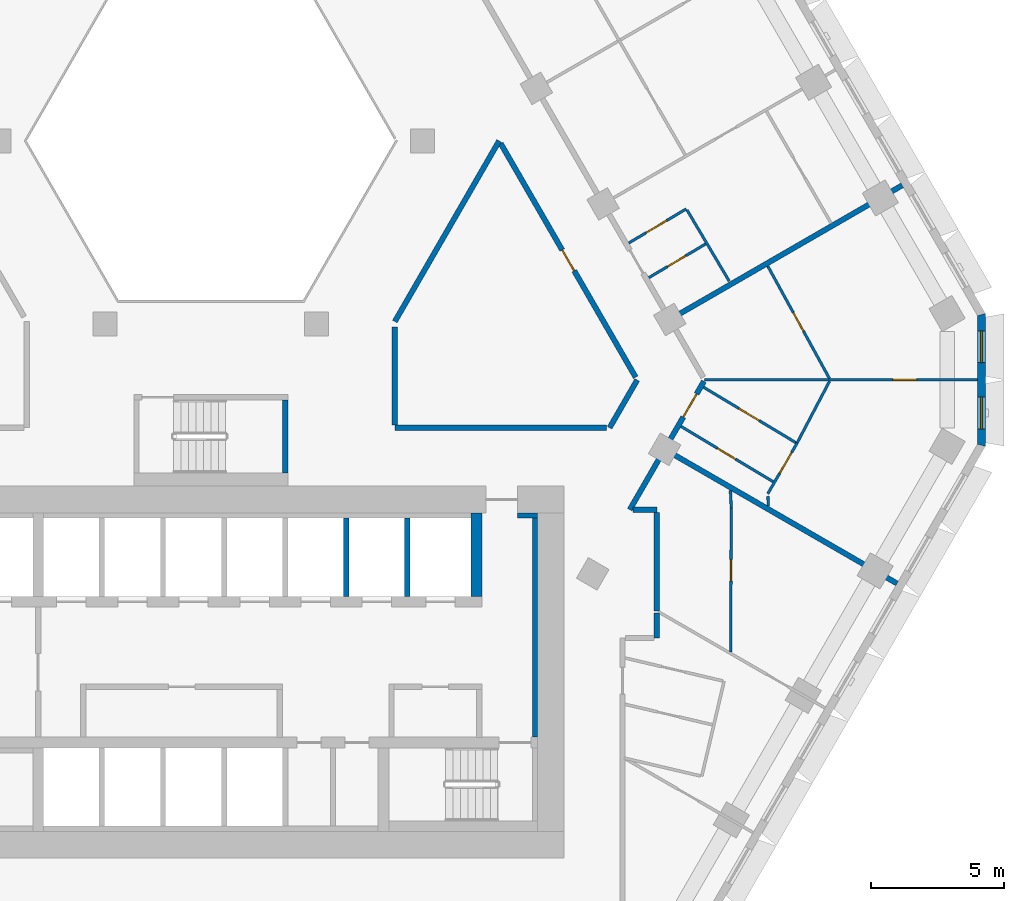
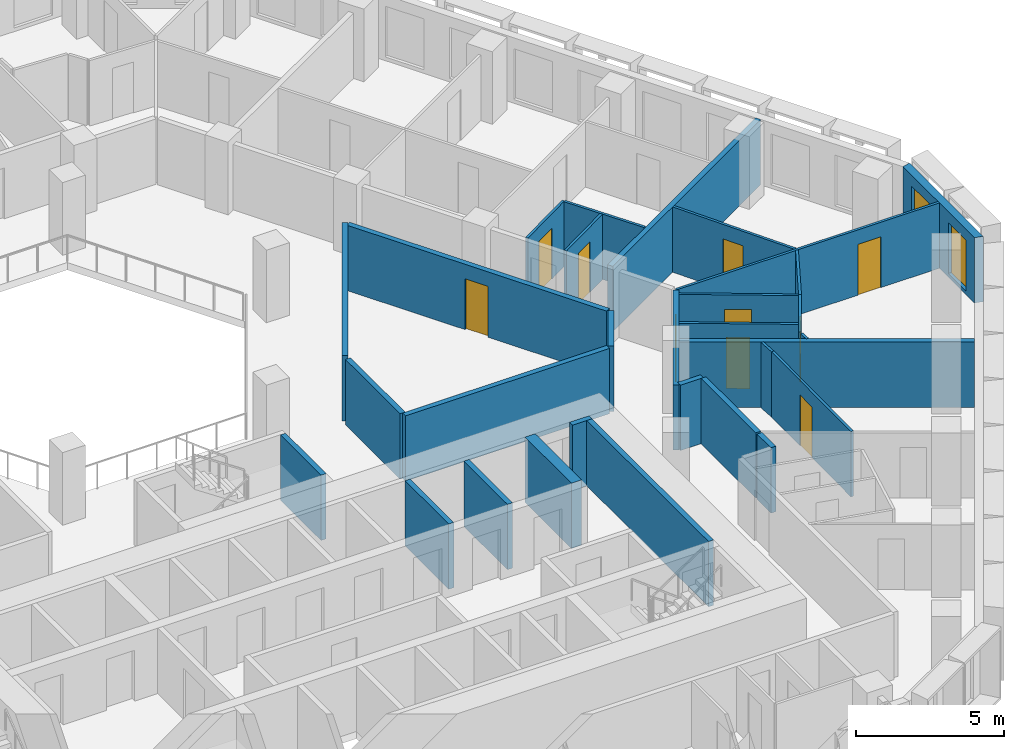
# One storey, part 7 of 18: 30 walls, 10 doors, 2 windows, 12 openings.
"""IFC4 building model written with IfcOpenShell, lengths in metres."""

from ifc_helpers import new_model, si_unit, direction, frame, frame_2d, origin, place, context, subcontext, project, spatial, polyline, rectangle, outline, extrude, material, layer, layer_set, type_object, element, fill, save


model = new_model("IFC4")

# Units and contexts
model_context = context("Model", 3, precision=1e-05, world=origin(), true_north=direction((0.0, 1.0)))
body_context = subcontext(model_context, "Body", "Model", "MODEL_VIEW")
ifc_project = project(units=[si_unit("LENGTHUNIT", "METRE"), si_unit("AREAUNIT", "SQUARE_METRE"), si_unit("VOLUMEUNIT", "CUBIC_METRE"), si_unit("PLANEANGLEUNIT", "RADIAN"), si_unit("MASSUNIT", "GRAM", prefix="KILO")], contexts=[model_context])

# Site, building, storey
site_placement = place(None, origin())
site = spatial("IfcSite", under=ifc_project, at=site_placement, CompositionType="ELEMENT")
building_placement = place(site_placement, origin())
building = spatial("IfcBuilding", under=site, at=building_placement, Name="Beryl Residences", CompositionType="ELEMENT")
storey_placement = place(building_placement, frame((0.0, 0.0, 87.0)))
storey = spatial("IfcBuildingStorey", under=building, at=storey_placement, Name="L26", CompositionType="ELEMENT", Elevation=87.0)

# Wall, openings, windows
ifc_material_1 = material(Name="Composite metal panel with mineral wool insulation")
ifc_layer_1 = layer(ifc_material_1, 0.300048828125)
ifc_layer_set_1 = layer_set([ifc_layer_1], Name="ES1 pale metal composite panel wall 300 mm")
wall_type_1 = type_object("IfcWallType", Name="ES1 pale metal composite panel wall 300 mm", PredefinedType="SOLIDWALL", material=ifc_layer_set_1)
wall_1_placement = place(storey_placement, frame((29.007080078125, -3.5, 0.0), z_axis=(0.0, 0.0, 1.0), x_axis=(0.0, 1.0, 0.0)))
wall_1 = element("IfcWall", 1, at=wall_1_placement, inside=storey, type_object=wall_type_1, Name="ES1 external wall L26 SE-NE", PredefinedType="SOLIDWALL", context=body_context, shape_type="SweptSolid", body=[
    extrude(outline(polyline([(0.0, -0.14990234375), (5.0, -0.14990234375), (4.919677734375, 0.14990234375), (0.080322265625, 0.14990234375), (0.0, -0.14990234375)])), origin(), (0.0, 0.0, 1.0), 2.699951171875),
])
opening_1_placement = place(wall_1_placement, frame((0.64990234375, 0.0, 0.14990234375)))
opening_1 = element("IfcOpeningElement", 2, at=opening_1_placement, cuts=wall_1, Name="Opening W2", PredefinedType="OPENING", context=body_context, shape_type="SweptSolid", body=[
    extrude(rectangle(XDim=1.199951171875, YDim=2.10009765625, at=frame_2d((0.60009765625, 1.050048828125))), frame((0.0, 0.159912109375, 0.0), z_axis=(0.0, -1.0, 0.0), x_axis=(1.0, 0.0, 0.0)), (0.0, 0.0, 1.0), 0.320068359375),
])
opening_2_placement = place(wall_1_placement, frame((3.14990234375, 0.0, 0.14990234375)))
opening_2 = element("IfcOpeningElement", 3, at=opening_2_placement, cuts=wall_1, Name="Opening W2", PredefinedType="OPENING", context=body_context, shape_type="SweptSolid", body=[
    extrude(rectangle(XDim=1.199951171875, YDim=2.10009765625, at=frame_2d((0.60009765625, 1.050048828125))), frame((0.0, 0.159912109375, 0.0), z_axis=(0.0, -1.0, 0.0), x_axis=(1.0, 0.0, 0.0)), (0.0, 0.0, 1.0), 0.320068359375),
])
ifc_material_2 = material(Name="Aluminium and clear glass", Category="aluminium")
window_type = type_object("IfcWindowType", Name="W2 chamfer window 1200 x 2100 mm", PartitioningType="SINGLE_PANEL", PredefinedType="WINDOW", material=ifc_material_2)
window_1_placement = place(opening_1_placement, origin())
window_1 = element("IfcWindow", 4, at=window_1_placement, inside=storey, type_object=window_type, Name="W2 window L26 SE-NE 1", OverallHeight=2.10009765625, OverallWidth=1.199951171875, PartitioningType="SINGLE_PANEL", PredefinedType="WINDOW", context=body_context, shape_type="SweptSolid", body=[
    extrude(rectangle(XDim=1.199951171875, YDim=2.10009765625, at=frame_2d((0.60009765625, 1.050048828125))), frame((0.0, 0.030029296875, 0.0), z_axis=(0.0, -1.0, 0.0), x_axis=(1.0, 0.0, 0.0)), (0.0, 0.0, 1.0), 0.06005859375),
])
fill(opening_1, window_1)
window_2_placement = place(opening_2_placement, origin())
window_2 = element("IfcWindow", 5, at=window_2_placement, inside=storey, type_object=window_type, Name="W2 window L26 SE-NE 2", OverallHeight=2.10009765625, OverallWidth=1.199951171875, PartitioningType="SINGLE_PANEL", PredefinedType="WINDOW", context=body_context, shape_type="SweptSolid", body=[
    extrude(rectangle(XDim=1.199951171875, YDim=2.10009765625, at=frame_2d((0.60009765625, 1.050048828125))), frame((0.0, 0.030029296875, 0.0), z_axis=(0.0, -1.0, 0.0), x_axis=(1.0, 0.0, 0.0)), (0.0, 0.0, 1.0), 0.06005859375),
])
fill(opening_2, window_2)

# Wall
ifc_material_3 = material(Name="Gypsum board partition on steel studs", Category="steel")
ifc_layer_2 = layer(ifc_material_3, 0.10009765625)
ifc_layer_set_2 = layer_set([ifc_layer_2], Name="PT1 partition 100 mm gypsum board on steel studs")
wall_type_2 = type_object("IfcWallType", Name="PT1 partition 100 mm gypsum board on steel studs", PredefinedType="PARTITIONING", material=ifc_layer_set_2)
wall_2_placement = place(storey_placement, frame((17.926025390625, 5.39599609375, 0.0), z_axis=(0.0, 0.0, 1.0), x_axis=(0.510025922017, -0.860159031151, 0.0)))
element("IfcWall", 6, at=wall_2_placement, inside=storey, type_object=wall_type_2, Name="Wall PT1 L26 004", PredefinedType="PARTITIONING", context=body_context, shape_type="SweptSolid", body=[
    extrude(rectangle(XDim=3.11328125, YDim=0.10009765625, at=frame_2d((1.556640625, 0.0))), origin(), (0.0, 0.0, 1.0), 2.699951171875),
])

# Wall, opening, door
wall_3_placement = place(storey_placement, frame((20.964111328125, 3.287109375, 0.0), z_axis=(0.0, 0.0, 1.0), x_axis=(0.4810005962, -0.876720266936, 0.0)))
wall_3 = element("IfcWall", 7, at=wall_3_placement, inside=storey, type_object=wall_type_2, Name="Wall PT1 L26 008", PredefinedType="PARTITIONING", context=body_context, shape_type="SweptSolid", body=[
    extrude(rectangle(XDim=4.82958984375, YDim=0.10009765625, at=frame_2d((2.414794921875, 0.0))), origin(), (0.0, 0.0, 1.0), 2.699951171875),
])
opening_3_placement = place(wall_3_placement, frame((1.9951171875, 0.0, 0.0)))
opening_3 = element("IfcOpeningElement", 8, at=opening_3_placement, cuts=wall_3, Name="Opening D0649", PredefinedType="OPENING", context=body_context, shape_type="SweptSolid", body=[
    extrude(rectangle(XDim=0.800048828125, YDim=2.10009765625, at=frame_2d((0.39990234375, 1.050048828125))), frame((0.0, 0.06005859375, 0.0), z_axis=(0.0, -1.0, 0.0), x_axis=(1.0, 0.0, 0.0)), (0.0, 0.0, 1.0), 0.1201171875),
])
ifc_material_4 = material(Name="Timber door leaf", Category="wood")
door_type_1 = type_object("IfcDoorType", Name="D3 bathroom door 800 x 2100 mm", OperationType="SINGLE_SWING_LEFT", PredefinedType="DOOR", material=ifc_material_4)
door_1_placement = place(opening_3_placement, origin())
door_1 = element("IfcDoor", 9, at=door_1_placement, inside=storey, type_object=door_type_1, Name="Door D0649 L26 001", OperationType="SINGLE_SWING_LEFT", OverallHeight=2.10009765625, OverallWidth=0.800048828125, PredefinedType="DOOR", context=body_context, shape_type="SweptSolid", body=[
    extrude(rectangle(XDim=0.800048828125, YDim=2.10009765625, at=frame_2d((0.39990234375, 1.050048828125))), frame((0.0, 0.02490234375, 0.0), z_axis=(0.0, -1.0, 0.0), x_axis=(1.0, 0.0, 0.0)), (0.0, 0.0, 1.0), 0.050048828125),
])
fill(opening_3, door_1)

# Walls
wall_4_placement = place(storey_placement, frame((19.55810546875, -5.156005859375, 0.0), z_axis=(0.0, 0.0, 1.0), x_axis=(0.04980880462, -0.998758771167, 0.0)))
element("IfcWall", 10, at=wall_4_placement, inside=storey, type_object=wall_type_2, Name="Wall PT1 L26 012", PredefinedType="PARTITIONING", context=body_context, shape_type="SweptSolid", body=[
    extrude(rectangle(XDim=0.66162109375, YDim=0.10009765625, at=frame_2d((0.330810546875, 0.0))), origin(), (0.0, 0.0, 1.0), 2.699951171875),
])
wall_5_placement = place(storey_placement, frame((20.969970703125, -5.3779296875, 0.0), z_axis=(0.0, 0.0, 1.0), x_axis=(0.043266532348, -0.999063565134, 0.0)))
element("IfcWall", 11, at=wall_5_placement, inside=storey, type_object=wall_type_2, Name="Wall PT1 L26 013", PredefinedType="PARTITIONING", context=body_context, shape_type="SweptSolid", body=[
    extrude(rectangle(XDim=0.372314453125, YDim=0.10009765625, at=frame_2d((0.18603515625, 0.0))), origin(), (0.0, 0.0, 1.0), 2.699951171875),
])

# Wall, opening, door
wall_6_placement = place(storey_placement, frame((17.697021484375, -2.748046875, 0.0), z_axis=(0.0, 0.0, 1.0), x_axis=(0.857359945576, -0.514717324093, 0.0)))
wall_6 = element("IfcWall", 12, at=wall_6_placement, inside=storey, type_object=wall_type_2, Name="Wall PT1 L26 030", PredefinedType="PARTITIONING", context=body_context, shape_type="SweptSolid", body=[
    extrude(rectangle(XDim=4.05078125, YDim=0.10009765625, at=frame_2d((2.025390625, 0.0))), origin(), (0.0, 0.0, 1.0), 2.699951171875),
])
opening_4_placement = place(wall_6_placement, frame((1.60009765625, 0.0, 0.0)))
opening_4 = element("IfcOpeningElement", 13, at=opening_4_placement, cuts=wall_6, Name="Opening D0645", PredefinedType="OPENING", context=body_context, shape_type="SweptSolid", body=[
    extrude(rectangle(XDim=0.800048828125, YDim=2.10009765625, at=frame_2d((0.39990234375, 1.050048828125))), frame((0.0, 0.06005859375, 0.0), z_axis=(0.0, -1.0, 0.0), x_axis=(1.0, 0.0, 0.0)), (0.0, 0.0, 1.0), 0.1201171875),
])
door_2_placement = place(opening_4_placement, origin())
door_2 = element("IfcDoor", 14, at=door_2_placement, inside=storey, type_object=door_type_1, Name="Door D0645 L26 001", OperationType="SINGLE_SWING_LEFT", OverallHeight=2.10009765625, OverallWidth=0.800048828125, PredefinedType="DOOR", context=body_context, shape_type="SweptSolid", body=[
    extrude(rectangle(XDim=0.800048828125, YDim=2.10009765625, at=frame_2d((0.39990234375, 1.050048828125))), frame((0.0, 0.02490234375, 0.0), z_axis=(0.0, -1.0, 0.0), x_axis=(1.0, 0.0, 0.0)), (0.0, 0.0, 1.0), 0.050048828125),
])
fill(opening_4, door_2)

wall_7_placement = place(storey_placement, frame((18.547119140625, -1.27490234375, 0.0), z_axis=(0.0, 0.0, 1.0), x_axis=(0.85733334763, -0.514761625456, 0.0)))
wall_7 = element("IfcWall", 15, at=wall_7_placement, inside=storey, type_object=wall_type_2, Name="Wall PT1 L26 031", PredefinedType="PARTITIONING", context=body_context, shape_type="SweptSolid", body=[
    extrude(rectangle(XDim=4.05078125, YDim=0.10009765625, at=frame_2d((2.025390625, 0.0))), origin(), (0.0, 0.0, 1.0), 2.699951171875),
])
opening_5_placement = place(wall_7_placement, frame((1.550048828125, 0.0, 0.0)))
opening_5 = element("IfcOpeningElement", 16, at=opening_5_placement, cuts=wall_7, Name="Opening D0646", PredefinedType="OPENING", context=body_context, shape_type="SweptSolid", body=[
    extrude(rectangle(XDim=0.89990234375, YDim=2.10009765625, at=frame_2d((0.449951171875, 1.050048828125))), frame((0.0, 0.06005859375, 0.0), z_axis=(0.0, -1.0, 0.0), x_axis=(1.0, 0.0, 0.0)), (0.0, 0.0, 1.0), 0.1201171875),
])
ifc_material_5 = material(Name="Timber door leaf", Category="wood")
door_type_2 = type_object("IfcDoorType", Name="D2 room door 900 x 2100 mm", OperationType="SINGLE_SWING_LEFT", PredefinedType="DOOR", material=ifc_material_5)
door_3_placement = place(opening_5_placement, origin())
door_3 = element("IfcDoor", 17, at=door_3_placement, inside=storey, type_object=door_type_2, Name="Door D0646 L26 001", OperationType="SINGLE_SWING_RIGHT", OverallHeight=2.10009765625, OverallWidth=0.89990234375, PredefinedType="DOOR", context=body_context, shape_type="SweptSolid", body=[
    extrude(rectangle(XDim=0.89990234375, YDim=2.10009765625, at=frame_2d((0.449951171875, 1.050048828125))), frame((0.0, 0.02490234375, 0.0), z_axis=(0.0, -1.0, 0.0), x_axis=(1.0, 0.0, 0.0)), (0.0, 0.0, 1.0), 0.050048828125),
])
fill(opening_5, door_3)

wall_8_placement = place(storey_placement, frame((18.591064453125, -0.9990234375, 0.0), z_axis=(0.0, 0.0, 1.0), x_axis=(1.0, 0.0, 0.0)))
wall_8 = element("IfcWall", 18, at=wall_8_placement, inside=storey, type_object=wall_type_2, Name="Wall PT1 L26 033", PredefinedType="PARTITIONING", context=body_context, shape_type="SweptSolid", body=[
    extrude(rectangle(XDim=10.265869140625, YDim=0.10009765625, at=frame_2d((5.1328125, 0.0))), origin(), (0.0, 0.0, 1.0), 2.699951171875),
])
opening_6_placement = place(wall_8_placement, frame((7.0791015625, 0.0, 0.0)))
opening_6 = element("IfcOpeningElement", 19, at=opening_6_placement, cuts=wall_8, Name="Opening D0648", PredefinedType="OPENING", context=body_context, shape_type="SweptSolid", body=[
    extrude(rectangle(XDim=0.89990234375, YDim=2.10009765625, at=frame_2d((0.449951171875, 1.050048828125))), frame((0.0, 0.06005859375, 0.0), z_axis=(0.0, -1.0, 0.0), x_axis=(1.0, 0.0, 0.0)), (0.0, 0.0, 1.0), 0.1201171875),
])
door_4_placement = place(opening_6_placement, origin())
door_4 = element("IfcDoor", 20, at=door_4_placement, inside=storey, type_object=door_type_2, Name="Door D0648 L26 001", OperationType="SINGLE_SWING_RIGHT", OverallHeight=2.10009765625, OverallWidth=0.89990234375, PredefinedType="DOOR", context=body_context, shape_type="SweptSolid", body=[
    extrude(rectangle(XDim=0.89990234375, YDim=2.10009765625, at=frame_2d((0.449951171875, 1.050048828125))), frame((0.0, 0.02490234375, 0.0), z_axis=(0.0, -1.0, 0.0), x_axis=(1.0, 0.0, 0.0)), (0.0, 0.0, 1.0), 0.050048828125),
])
fill(opening_6, door_4)

wall_9_placement = place(storey_placement, frame((20.966064453125, -5.284912109375, 0.0), z_axis=(0.0, 0.0, 1.0), x_axis=(0.500244510215, 0.865884189716, 0.0)))
wall_9 = element("IfcWall", 21, at=wall_9_placement, inside=storey, type_object=wall_type_2, Name="Wall PT1 L26 040", PredefinedType="PARTITIONING", context=body_context, shape_type="SweptSolid", body=[
    extrude(rectangle(XDim=2.212890625, YDim=0.10009765625, at=frame_2d((1.1064453125, 0.0))), origin(), (0.0, 0.0, 1.0), 2.699951171875),
])
opening_7_placement = place(wall_9_placement, frame((0.89306640625, 0.0, 0.0)))
opening_7 = element("IfcOpeningElement", 22, at=opening_7_placement, cuts=wall_9, Name="Opening D0647", PredefinedType="OPENING", context=body_context, shape_type="SweptSolid", body=[
    extrude(rectangle(XDim=0.89990234375, YDim=2.10009765625, at=frame_2d((0.449951171875, 1.050048828125))), frame((0.0, 0.06005859375, 0.0), z_axis=(0.0, -1.0, 0.0), x_axis=(1.0, 0.0, 0.0)), (0.0, 0.0, 1.0), 0.1201171875),
])
door_5_placement = place(opening_7_placement, origin())
door_5 = element("IfcDoor", 23, at=door_5_placement, inside=storey, type_object=door_type_2, Name="Door D0647 L26 001", OperationType="SINGLE_SWING_LEFT", OverallHeight=2.10009765625, OverallWidth=0.89990234375, PredefinedType="DOOR", context=body_context, shape_type="SweptSolid", body=[
    extrude(rectangle(XDim=0.89990234375, YDim=2.10009765625, at=frame_2d((0.449951171875, 1.050048828125))), frame((0.0, 0.02490234375, 0.0), z_axis=(0.0, -1.0, 0.0), x_axis=(1.0, 0.0, 0.0)), (0.0, 0.0, 1.0), 0.050048828125),
])
fill(opening_7, door_5)

# Wall
wall_10_placement = place(storey_placement, frame((22.052978515625, -3.403076171875, 0.0), z_axis=(0.0, 0.0, 1.0), x_axis=(0.465190117005, 0.885210796952, 0.0)))
element("IfcWall", 24, at=wall_10_placement, inside=storey, type_object=wall_type_2, Name="Wall PT1 L26 047", PredefinedType="PARTITIONING", context=body_context, shape_type="SweptSolid", body=[
    extrude(rectangle(XDim=2.6591796875, YDim=0.10009765625, at=frame_2d((1.32958984375, 0.0))), origin(), (0.0, 0.0, 1.0), 2.699951171875),
])

# Wall, opening, door
wall_11_placement = place(storey_placement, frame((19.56591796875, -11.238037109375, 0.0), z_axis=(0.0, 0.0, 1.0), x_axis=(0.004638545009, 0.999989241892, 0.0)))
wall_11 = element("IfcWall", 25, at=wall_11_placement, inside=storey, type_object=wall_type_2, Name="Wall PT1 L26 054", PredefinedType="PARTITIONING", context=body_context, shape_type="SweptSolid", body=[
    extrude(rectangle(XDim=5.421142578125, YDim=0.10009765625, at=frame_2d((2.71044921875, 0.0))), origin(), (0.0, 0.0, 1.0), 2.699951171875),
])
opening_8_placement = place(wall_11_placement, frame((2.672119140625, 0.0, 0.0)))
opening_8 = element("IfcOpeningElement", 26, at=opening_8_placement, cuts=wall_11, Name="Opening D0643", PredefinedType="OPENING", context=body_context, shape_type="SweptSolid", body=[
    extrude(rectangle(XDim=0.800048828125, YDim=2.10009765625, at=frame_2d((0.39990234375, 1.050048828125))), frame((0.0, 0.06005859375, 0.0), z_axis=(0.0, -1.0, 0.0), x_axis=(1.0, 0.0, 0.0)), (0.0, 0.0, 1.0), 0.1201171875),
])
door_6_placement = place(opening_8_placement, origin())
door_6 = element("IfcDoor", 27, at=door_6_placement, inside=storey, type_object=door_type_1, Name="Door D0643 L26 001", OperationType="SINGLE_SWING_LEFT", OverallHeight=2.10009765625, OverallWidth=0.800048828125, PredefinedType="DOOR", context=body_context, shape_type="SweptSolid", body=[
    extrude(rectangle(XDim=0.800048828125, YDim=2.10009765625, at=frame_2d((0.39990234375, 1.050048828125))), frame((0.0, 0.02490234375, 0.0), z_axis=(0.0, -1.0, 0.0), x_axis=(1.0, 0.0, 0.0)), (0.0, 0.0, 1.0), 0.050048828125),
])
fill(opening_8, door_6)

wall_12_placement = place(storey_placement, frame((15.73193359375, 4.153076171875, 0.0), z_axis=(0.0, 0.0, 1.0), x_axis=(0.859987631152, 0.510314877566, 0.0)))
wall_12 = element("IfcWall", 28, at=wall_12_placement, inside=storey, type_object=wall_type_2, Name="Wall PT1 L26 076", PredefinedType="PARTITIONING", context=body_context, shape_type="SweptSolid", body=[
    extrude(rectangle(XDim=2.519775390625, YDim=0.10009765625, at=frame_2d((1.259765625, 0.0))), origin(), (0.0, 0.0, 1.0), 2.699951171875),
])
opening_9_placement = place(wall_12_placement, frame((0.760009765625, 0.0, 0.0)))
opening_9 = element("IfcOpeningElement", 29, at=opening_9_placement, cuts=wall_12, Name="Opening D0651", PredefinedType="OPENING", context=body_context, shape_type="SweptSolid", body=[
    extrude(rectangle(XDim=0.89990234375, YDim=2.10009765625, at=frame_2d((0.449951171875, 1.050048828125))), frame((0.0, 0.06005859375, 0.0), z_axis=(0.0, -1.0, 0.0), x_axis=(1.0, 0.0, 0.0)), (0.0, 0.0, 1.0), 0.1201171875),
])
door_7_placement = place(opening_9_placement, origin())
door_7 = element("IfcDoor", 30, at=door_7_placement, inside=storey, type_object=door_type_2, Name="Door D0651 L26 001", OperationType="SINGLE_SWING_LEFT", OverallHeight=2.10009765625, OverallWidth=0.89990234375, PredefinedType="DOOR", context=body_context, shape_type="SweptSolid", body=[
    extrude(rectangle(XDim=0.89990234375, YDim=2.10009765625, at=frame_2d((0.449951171875, 1.050048828125))), frame((0.0, 0.02490234375, 0.0), z_axis=(0.0, -1.0, 0.0), x_axis=(1.0, 0.0, 0.0)), (0.0, 0.0, 1.0), 0.050048828125),
])
fill(opening_9, door_7)

wall_13_placement = place(storey_placement, frame((16.485107421875, 2.847900390625, 0.0), z_axis=(0.0, 0.0, 1.0), x_axis=(0.860052465539, 0.510205602205, 0.0)))
wall_13 = element("IfcWall", 31, at=wall_13_placement, inside=storey, type_object=wall_type_2, Name="Wall PT1 L26 077", PredefinedType="PARTITIONING", context=body_context, shape_type="SweptSolid", body=[
    extrude(rectangle(XDim=2.4892578125, YDim=0.10009765625, at=frame_2d((1.24462890625, 0.0))), origin(), (0.0, 0.0, 1.0), 2.699951171875),
])
opening_10_placement = place(wall_13_placement, frame((0.819091796875, 0.0, 0.0)))
opening_10 = element("IfcOpeningElement", 32, at=opening_10_placement, cuts=wall_13, Name="Opening D0652", PredefinedType="OPENING", context=body_context, shape_type="SweptSolid", body=[
    extrude(rectangle(XDim=0.800048828125, YDim=2.10009765625, at=frame_2d((0.39990234375, 1.050048828125))), frame((0.0, 0.06005859375, 0.0), z_axis=(0.0, -1.0, 0.0), x_axis=(1.0, 0.0, 0.0)), (0.0, 0.0, 1.0), 0.1201171875),
])
door_8_placement = place(opening_10_placement, origin())
door_8 = element("IfcDoor", 33, at=door_8_placement, inside=storey, type_object=door_type_1, Name="Door D0652 L26 001", OperationType="SINGLE_SWING_RIGHT", OverallHeight=2.10009765625, OverallWidth=0.800048828125, PredefinedType="DOOR", context=body_context, shape_type="SweptSolid", body=[
    extrude(rectangle(XDim=0.800048828125, YDim=2.10009765625, at=frame_2d((0.39990234375, 1.050048828125))), frame((0.0, 0.02490234375, 0.0), z_axis=(0.0, -1.0, 0.0), x_axis=(1.0, 0.0, 0.0)), (0.0, 0.0, 1.0), 0.050048828125),
])
fill(opening_10, door_8)

# Walls
ifc_material_6 = material(Name="Concrete masonry", Category="masonry")
ifc_layer_3 = layer(ifc_material_6, 0.199951171875)
ifc_layer_set_3 = layer_set([ifc_layer_3], Name="PT13 lobby wall 200 mm")
wall_type_3 = type_object("IfcWallType", Name="PT13 lobby wall 200 mm", PredefinedType="PARTITIONING", material=ifc_layer_set_3)
wall_14_placement = place(storey_placement, frame((11.550048828125, -6.10009765625, 0.0), z_axis=(0.0, 0.0, 1.0), x_axis=(1.0, 0.0, 0.0)))
element("IfcWall", 34, at=wall_14_placement, inside=storey, type_object=wall_type_3, Name="Lobby wall 32", PredefinedType="PARTITIONING", context=body_context, shape_type="SweptSolid", body=[
    extrude(rectangle(XDim=0.75, YDim=0.199951171875, at=frame_2d((0.375, 0.0))), origin(), (0.0, 0.0, 1.0), 2.699951171875),
])
wall_15_placement = place(storey_placement, frame((12.199951171875, -14.449951171875, 0.0), z_axis=(0.0, 0.0, 1.0), x_axis=(0.0, 1.0, 0.0)))
element("IfcWall", 35, at=wall_15_placement, inside=storey, type_object=wall_type_3, Name="Lobby wall 34", PredefinedType="PARTITIONING", context=body_context, shape_type="SweptSolid", body=[
    extrude(rectangle(XDim=8.25, YDim=0.199951171875, at=frame_2d((4.125, 0.0))), origin(), (0.0, 0.0, 1.0), 2.699951171875),
])
ifc_material_7 = material(Name="Acoustic double stud gypsum board wall")
ifc_layer_4 = layer(ifc_material_7, 0.199951171875)
ifc_layer_set_4 = layer_set([ifc_layer_4], Name="PT3 party wall 200 mm acoustic double stud")
wall_type_4 = type_object("IfcWallType", Name="PT3 party wall 200 mm acoustic double stud", PredefinedType="PARTITIONING", material=ifc_layer_set_4)
wall_16_placement = place(storey_placement, frame((17.1689453125, -3.662109375, 0.0), z_axis=(0.0, 0.0, 1.0), x_axis=(0.866047370643, -0.499961950354, 0.0)))
element("IfcWall", 36, at=wall_16_placement, inside=storey, type_object=wall_type_4, Name="Wall PT3 L26 003", PredefinedType="PARTITIONING", context=body_context, shape_type="SweptSolid", body=[
    extrude(rectangle(XDim=10.000732421875, YDim=0.199951171875, at=frame_2d((5.00048828125, 0.0))), origin(), (0.0, 0.0, 1.0), 2.699951171875),
])
wall_17_placement = place(storey_placement, frame((17.364990234375, 1.324951171875, 0.0), z_axis=(0.0, 0.0, 1.0), x_axis=(0.866016855193, 0.500014806302, 0.0)))
element("IfcWall", 37, at=wall_17_placement, inside=storey, type_object=wall_type_4, Name="Wall PT3 L26 009", PredefinedType="PARTITIONING", context=body_context, shape_type="SweptSolid", body=[
    extrude(rectangle(XDim=9.999755859375, YDim=0.199951171875, at=frame_2d((5.0, 0.0))), origin(), (0.0, 0.0, 1.0), 2.699951171875),
])

# Wall, opening, door
ifc_material_8 = material(Name="Double stud gypsum board wall")
ifc_layer_5 = layer(ifc_material_8, 0.199951171875)
ifc_layer_set_5 = layer_set([ifc_layer_5], Name="PT4 corridor wall 200 mm double stud")
wall_type_5 = type_object("IfcWallType", Name="PT4 corridor wall 200 mm double stud", PredefinedType="PARTITIONING", material=ifc_layer_set_5)
wall_18_placement = place(storey_placement, frame((10.9130859375, 7.89892578125, 0.0), z_axis=(0.0, 0.0, 1.0), x_axis=(0.500028940566, -0.866008694296, 0.0)))
wall_18 = element("IfcWall", 38, at=wall_18_placement, inside=storey, type_object=wall_type_5, Name="Wall PT4 L26 005", PredefinedType="PARTITIONING", context=body_context, shape_type="SweptSolid", body=[
    extrude(rectangle(XDim=10.1591796875, YDim=0.199951171875, at=frame_2d((5.07958984375, 0.0))), origin(), (0.0, 0.0, 1.0), 2.699951171875),
])
opening_11_placement = place(wall_18_placement, frame((4.6298828125, 0.0, 0.0)))
opening_11 = element("IfcOpeningElement", 39, at=opening_11_placement, cuts=wall_18, Name="Opening D0667", PredefinedType="OPENING", context=body_context, shape_type="SweptSolid", body=[
    extrude(rectangle(XDim=0.89990234375, YDim=2.10009765625, at=frame_2d((0.449951171875, 1.050048828125))), frame((0.0, 0.10986328125, 0.0), z_axis=(0.0, -1.0, 0.0), x_axis=(1.0, 0.0, 0.0)), (0.0, 0.0, 1.0), 0.219970703125),
])
door_9_placement = place(opening_11_placement, origin())
door_9 = element("IfcDoor", 40, at=door_9_placement, inside=storey, type_object=door_type_2, Name="Door D0667 L26 001", OperationType="SINGLE_SWING_LEFT", OverallHeight=2.10009765625, OverallWidth=0.89990234375, PredefinedType="DOOR", context=body_context, shape_type="SweptSolid", body=[
    extrude(rectangle(XDim=0.89990234375, YDim=2.10009765625, at=frame_2d((0.449951171875, 1.050048828125))), frame((0.0, 0.02490234375, 0.0), z_axis=(0.0, -1.0, 0.0), x_axis=(1.0, 0.0, 0.0)), (0.0, 0.0, 1.0), 0.050048828125),
])
fill(opening_11, door_9)

# Walls
wall_19_placement = place(storey_placement, frame((6.927978515625, 1.0, 0.0), z_axis=(0.0, 0.0, 1.0), x_axis=(0.0, -1.0, 0.0)))
element("IfcWall", 41, at=wall_19_placement, inside=storey, type_object=wall_type_5, Name="Wall PT4 L26 009", PredefinedType="PARTITIONING", context=body_context, shape_type="SweptSolid", body=[
    extrude(rectangle(XDim=3.698974609375, YDim=0.199951171875, at=frame_2d((1.849609375, 0.0))), origin(), (0.0, 0.0, 1.0), 2.699951171875),
])
wall_20_placement = place(storey_placement, frame((16.791015625, -5.986083984375, 0.0), z_axis=(0.0, 0.0, 1.0), x_axis=(0.0, -1.0, 0.0)))
element("IfcWall", 42, at=wall_20_placement, inside=storey, type_object=wall_type_5, Name="Wall PT4 L26 010", PredefinedType="PARTITIONING", context=body_context, shape_type="SweptSolid", body=[
    extrude(rectangle(XDim=3.7080078125, YDim=0.199951171875, at=frame_2d((1.85400390625, 0.0))), origin(), (0.0, 0.0, 1.0), 2.699951171875),
])
wall_21_placement = place(storey_placement, frame((15.886962890625, -5.885009765625, 0.0), z_axis=(0.0, 0.0, 1.0), x_axis=(1.0, 0.0, 0.0)))
element("IfcWall", 43, at=wall_21_placement, inside=storey, type_object=wall_type_5, Name="Wall PT4 L26 012", PredefinedType="PARTITIONING", context=body_context, shape_type="SweptSolid", body=[
    extrude(rectangle(XDim=0.903076171875, YDim=0.199951171875, at=frame_2d((0.45166015625, 0.0))), origin(), (0.0, 0.0, 1.0), 2.699951171875),
])
wall_22_placement = place(storey_placement, frame((6.928955078125, -2.800048828125, 0.0), z_axis=(0.0, 0.0, 1.0), x_axis=(1.0, 0.0, 0.0)))
element("IfcWall", 44, at=wall_22_placement, inside=storey, type_object=wall_type_5, Name="Wall PT4 L26 018", PredefinedType="PARTITIONING", context=body_context, shape_type="SweptSolid", body=[
    extrude(rectangle(XDim=7.966064453125, YDim=0.199951171875, at=frame_2d((3.98291015625, 0.0))), origin(), (0.0, 0.0, 1.0), 2.699951171875),
])
wall_23_placement = place(storey_placement, frame((6.927978515625, 1.199951171875, 0.0), z_axis=(0.0, 0.0, 1.0), x_axis=(0.500055327065, 0.865993458332, 0.0)))
element("IfcWall", 45, at=wall_23_placement, inside=storey, type_object=wall_type_5, Name="Wall PT4 L26 023", PredefinedType="PARTITIONING", context=body_context, shape_type="SweptSolid", body=[
    extrude(rectangle(XDim=7.85107421875, YDim=0.199951171875, at=frame_2d((3.925537109375, 0.0))), origin(), (0.0, 0.0, 1.0), 2.699951171875),
])
wall_24_placement = place(storey_placement, frame((15.010986328125, -2.800048828125, 0.0), z_axis=(0.0, 0.0, 1.0), x_axis=(0.499929208183, 0.866066271601, 0.0)))
element("IfcWall", 46, at=wall_24_placement, inside=storey, type_object=wall_type_5, Name="Wall PT4 L26 024", PredefinedType="PARTITIONING", context=body_context, shape_type="SweptSolid", body=[
    extrude(rectangle(XDim=2.078369140625, YDim=0.199951171875, at=frame_2d((1.0390625, 0.0))), origin(), (0.0, 0.0, 1.0), 2.699951171875),
])

# Wall, opening, door
wall_25_placement = place(storey_placement, frame((15.77099609375, -5.884033203125, 0.0), z_axis=(0.0, 0.0, 1.0), x_axis=(0.499939494019, 0.866060334111, 0.0)))
wall_25 = element("IfcWall", 47, at=wall_25_placement, inside=storey, type_object=wall_type_5, Name="Wall PT4 L26 025", PredefinedType="PARTITIONING", context=body_context, shape_type="SweptSolid", body=[
    extrude(rectangle(XDim=5.582763671875, YDim=0.199951171875, at=frame_2d((2.79150390625, 0.0))), origin(), (0.0, 0.0, 1.0), 2.699951171875),
])
opening_12_placement = place(wall_25_placement, frame((4.030029296875, 0.0, 0.0)))
opening_12 = element("IfcOpeningElement", 48, at=opening_12_placement, cuts=wall_25, Name="Opening D0644", PredefinedType="OPENING", context=body_context, shape_type="SweptSolid", body=[
    extrude(rectangle(XDim=1.0, YDim=2.10009765625, at=frame_2d((0.5, 1.050048828125))), frame((0.0, 0.10986328125, 0.0), z_axis=(0.0, -1.0, 0.0), x_axis=(1.0, 0.0, 0.0)), (0.0, 0.0, 1.0), 0.219970703125),
])
ifc_material_9 = material(Name="Timber door leaf", Category="wood")
door_type_3 = type_object("IfcDoorType", Name="D1 flat entrance door 1000 x 2100 mm", OperationType="SINGLE_SWING_LEFT", PredefinedType="DOOR", material=ifc_material_9)
door_10_placement = place(opening_12_placement, origin())
door_10 = element("IfcDoor", 49, at=door_10_placement, inside=storey, type_object=door_type_3, Name="Door D0644 L26 001", OperationType="SINGLE_SWING_RIGHT", OverallHeight=2.10009765625, OverallWidth=1.0, PredefinedType="DOOR", context=body_context, shape_type="SweptSolid", body=[
    extrude(rectangle(XDim=1.0, YDim=2.10009765625, at=frame_2d((0.5, 1.050048828125))), frame((0.0, 0.02490234375, 0.0), z_axis=(0.0, -1.0, 0.0), x_axis=(1.0, 0.0, 0.0)), (0.0, 0.0, 1.0), 0.050048828125),
])
fill(opening_12, door_10)

# Walls
wall_26_placement = place(storey_placement, frame((16.791015625, -10.714111328125, 0.0), z_axis=(0.0, 0.0, 1.0), x_axis=(0.0, 1.0, 0.0)))
element("IfcWall", 50, at=wall_26_placement, inside=storey, type_object=wall_type_5, Name="Wall PT4 L26 030", PredefinedType="PARTITIONING", context=body_context, shape_type="SweptSolid", body=[
    extrude(rectangle(XDim=0.942138671875, YDim=0.199951171875, at=frame_2d((0.47119140625, 0.0))), origin(), (0.0, 0.0, 1.0), 2.699951171875),
])
ifc_material_10 = material(Name="Concrete C40/50", Category="concrete")
ifc_layer_6 = layer(ifc_material_10, 0.199951171875)
ifc_layer_set_6 = layer_set([ifc_layer_6], Name="PT5 stair enclosure wall 200 mm reinforced concrete C40/50")
wall_type_6 = type_object("IfcWallType", Name="PT5 stair enclosure wall 200 mm reinforced concrete C40/50", PredefinedType="SOLIDWALL", material=ifc_layer_set_6)
wall_27_placement = place(storey_placement, frame((2.800048828125, -4.5, 0.0), z_axis=(0.0, 0.0, 1.0), x_axis=(0.0, 1.0, 0.0)))
element("IfcWall", 51, at=wall_27_placement, inside=storey, type_object=wall_type_6, Name="Wall PT5 L26 003", PredefinedType="SOLIDWALL", context=body_context, shape_type="SweptSolid", body=[
    extrude(rectangle(XDim=2.75, YDim=0.199951171875, at=frame_2d((1.375, 0.0))), origin(), (0.0, 0.0, 1.0), 2.699951171875),
])
ifc_material_11 = material(Name="Concrete C40/50", Category="concrete")
ifc_layer_7 = layer(ifc_material_11, 0.199951171875)
ifc_layer_set_7 = layer_set([ifc_layer_7], Name="PT6 lift shaft wall 200 mm reinforced concrete C40/50")
wall_type_7 = type_object("IfcWallType", Name="PT6 lift shaft wall 200 mm reinforced concrete C40/50", PredefinedType="SOLIDWALL", material=ifc_layer_set_7)
for number, where, z_axis, x_axis, name in (
    (52, (5.10009765625, -9.14990234375, 0.0), (0.0, 0.0, 1.0), (0.0, 1.0, 0.0), "Lift shaft wall 26"),
    (53, (7.39990234375, -9.14990234375, 0.0), (0.0, 0.0, 1.0), (0.0, 1.0, 0.0), "Lift shaft wall 30"),
):
    element("IfcWall", number, at=place(storey_placement, frame(where, z_axis=z_axis, x_axis=x_axis)), inside=storey, type_object=wall_type_7, Name=name, PredefinedType="SOLIDWALL", context=body_context, shape_type="SweptSolid", body=[
        extrude(rectangle(XDim=2.949951171875, YDim=0.199951171875, at=frame_2d((1.47509765625, 0.0))), origin(), (0.0, 0.0, 1.0), 2.699951171875),
    ])
ifc_material_12 = material(Name="Concrete C70/85", Category="concrete")
ifc_layer_8 = layer(ifc_material_12, 0.39990234375)
ifc_layer_set_8 = layer_set([ifc_layer_8], Name="SW7 core internal wall 400 mm C70/85")
wall_type_8 = type_object("IfcWallType", Name="SW7 core internal wall 400 mm C70/85", PredefinedType="SHEAR", material=ifc_layer_set_8)
wall_28_placement = place(storey_placement, frame((10.0, -9.14990234375, 0.0), z_axis=(0.0, 0.0, 1.0), x_axis=(0.0, 1.0, 0.0)))
element("IfcWall", 54, at=wall_28_placement, inside=storey, type_object=wall_type_8, Name="Core wall XN2 L26", PredefinedType="SHEAR", context=body_context, shape_type="SweptSolid", body=[
    extrude(rectangle(XDim=3.14990234375, YDim=0.39990234375, at=frame_2d((1.574951171875, 0.0))), origin(), (0.0, 0.0, 1.0), 2.699951171875),
])

save(model, "model.ifc")
